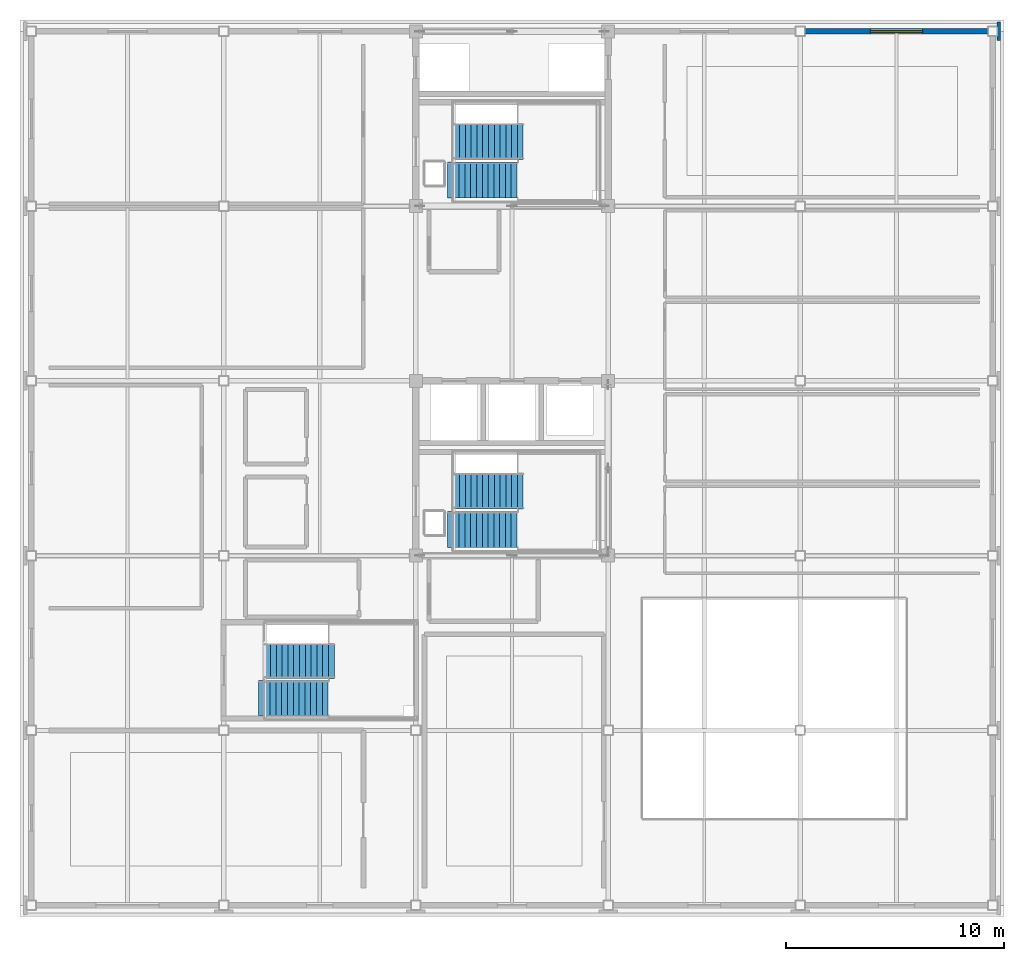
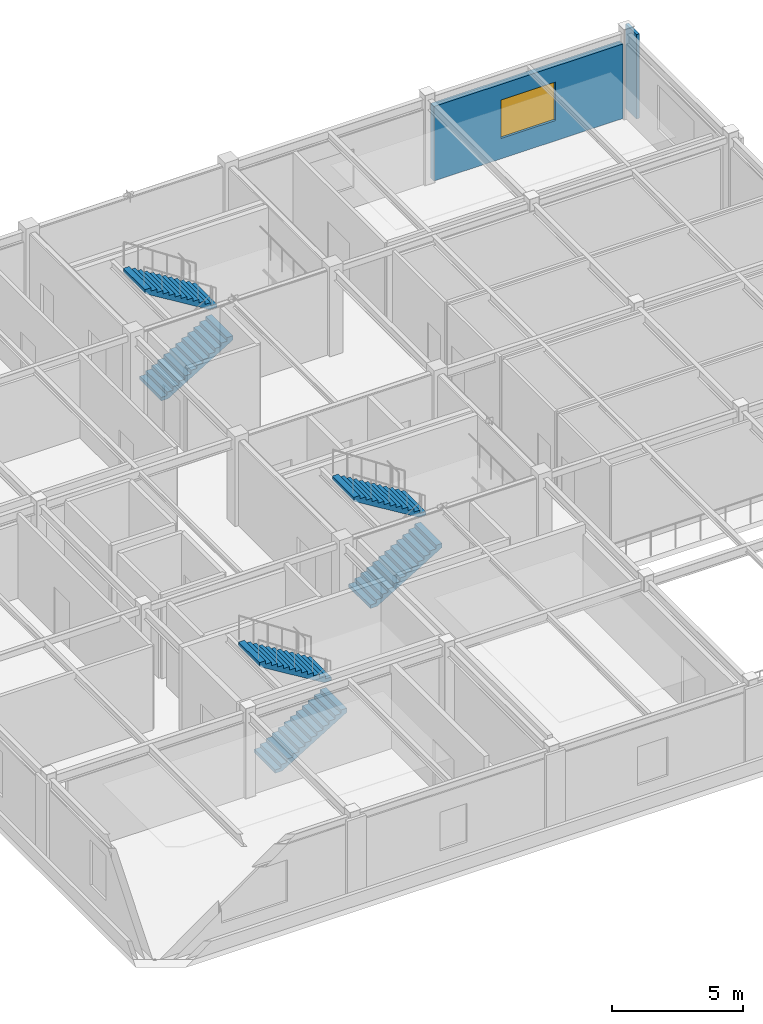
# One storey, part 15 of 18: 6 stair flights, 2 walls, 1 window, 1 opening, 3 elements without a shape of their own.
"""IFC4 building model written with IfcOpenShell, lengths in metres."""

from ifc_helpers import new_model, si_unit, direction, frame, frame_2d, origin, place, context, subcontext, project, spatial, polyline, rectangle, outline, extrude, material, layer, layer_set, type_object, element, fill, aggregate, save


model = new_model("IFC4")

# Units and contexts
model_context = context("Model", 3, precision=1e-05, world=origin(), true_north=direction((0.0, 1.0)))
body_context = subcontext(model_context, "Body", "Model", "MODEL_VIEW")
ifc_project = project(units=[si_unit("LENGTHUNIT", "METRE"), si_unit("AREAUNIT", "SQUARE_METRE"), si_unit("VOLUMEUNIT", "CUBIC_METRE"), si_unit("PLANEANGLEUNIT", "RADIAN"), si_unit("MASSUNIT", "GRAM", prefix="KILO")], contexts=[model_context])

# Site, building, storey
site_placement = place(None, origin())
site = spatial("IfcSite", under=ifc_project, at=site_placement, CompositionType="ELEMENT")
building_placement = place(site_placement, origin())
building = spatial("IfcBuilding", under=site, at=building_placement, Name="Zhaolan Boulevard Law Courts", CompositionType="ELEMENT")
storey_placement = place(building_placement, frame((0.0, 0.0, 33.0)))
storey = spatial("IfcBuildingStorey", under=building, at=storey_placement, Name="L07", CompositionType="ELEMENT", Elevation=33.0)

# Wall
ifc_material_1 = material(Name="Concrete C40", Category="concrete")
ifc_layer_1 = layer(ifc_material_1, 0.139892578125)
ifc_layer_set_1 = layer_set([ifc_layer_1])
wall_type_1 = type_object("IfcWallType", Name="EXT WALL ARCH CLAD140", PredefinedType="SOLIDWALL", material=ifc_layer_set_1)
wall_1_placement = place(storey_placement, frame((44.280029296875, 69.580078125, 0.0), z_axis=(0.0, 0.0, 1.0), x_axis=(0.0, 1.0, 0.0)))
element("IfcWall", 1, at=wall_1_placement, inside=storey, type_object=wall_type_1, Name="Concrete Column Cloak Pier CPR-174", PredefinedType="SOLIDWALL", context=body_context, shape_type="SweptSolid", body=[
    extrude(rectangle(XDim=0.83984375, YDim=0.139892578125, at=frame_2d((0.419921875, 0.0))), origin(), (0.0, 0.0, 1.0), 3.93994140625),
])

# Wall, opening, window
ifc_material_2 = material(Name="Concrete C40", Category="concrete")
ifc_layer_2 = layer(ifc_material_2, 0.260009765625)
ifc_layer_set_2 = layer_set([ifc_layer_2])
wall_type_2 = type_object("IfcWallType", Name="EXT WALL CONCRETE260", PredefinedType="SOLIDWALL", material=ifc_layer_set_2)
wall_2_placement = place(storey_placement, frame((43.779052734375, 70.0, 0.0), z_axis=(0.0, 0.0, 1.0), x_axis=(-1.0, 0.0, 0.0)))
wall_2 = element("IfcWall", 2, at=wall_2_placement, inside=storey, type_object=wall_type_2, Name="Exterior Wall EW-L07-397", PredefinedType="SOLIDWALL", context=body_context, shape_type="SweptSolid", body=[
    extrude(rectangle(XDim=8.358154296875, YDim=0.260009765625, at=frame_2d((4.17919921875, 0.0))), origin(), (0.0, 0.0, 1.0), 3.48291015625),
])
opening_placement = place(wall_2_placement, frame((2.97900390625, 0.0, 0.949951171875)))
opening = element("IfcOpeningElement", 3, at=opening_placement, cuts=wall_2, Name="Opening WIN-L07-247", PredefinedType="OPENING", context=body_context, shape_type="SweptSolid", body=[
    extrude(rectangle(XDim=2.39990234375, YDim=1.800048828125, at=frame_2d((1.199951171875, 0.89990234375))), frame((0.0, 0.139892578125, 0.0), z_axis=(0.0, -1.0, 0.0), x_axis=(1.0, 0.0, 0.0)), (0.0, 0.0, 1.0), 0.280029296875),
])
ifc_material_3 = material(Name="Thermally broken aluminium and low-E glazing", Category="aluminium")
window_type = type_object("IfcWindowType", Name="WINDOW 2400X1800", PartitioningType="DOUBLE_PANEL_VERTICAL", PredefinedType="WINDOW", material=ifc_material_3)
window_placement = place(opening_placement, origin())
window = element("IfcWindow", 4, at=window_placement, inside=storey, type_object=window_type, Name="Exterior Window WIN-L07-247", OverallHeight=1.800048828125, OverallWidth=2.39990234375, PartitioningType="SINGLE_PANEL", PredefinedType="WINDOW", context=body_context, shape_type="SweptSolid", body=[
    extrude(rectangle(XDim=2.39990234375, YDim=1.800048828125, at=frame_2d((1.199951171875, 0.89990234375))), frame((0.0, 0.030029296875, 0.0), z_axis=(0.0, -1.0, 0.0), x_axis=(1.0, 0.0, 0.0)), (0.0, 0.0, 1.0), 0.06005859375),
])
fill(opening, window)

# Stair, stair flights
ifc_material_4 = material(Name="Concrete C40", Category="concrete")
stair_type_1 = type_object("IfcStairType", Name="HALF TURN STAIR 42 A", PredefinedType="HALF_TURN_STAIR", material=ifc_material_4)
stair_1_placement = place(storey_placement, origin())
stair_1 = element("IfcStair", 5, at=stair_1_placement, inside=storey, type_object=stair_type_1, Name="Stair ST01-L07", PredefinedType="HALF_TURN_STAIR")
ifc_material_5 = material(Name="Concrete C40", Category="concrete")
stair_flight_type_1 = type_object("IfcStairFlightType", Name="STAIR FLIGHT 42 A", PredefinedType="STRAIGHT", material=ifc_material_5)
stair_flight_1_placement = place(storey_placement, frame((19.050048828125, 47.205078125, 0.0), z_axis=(0.0, 0.0, 1.0), x_axis=(1.0, 0.0, 0.0)))
stair_flight_1 = element("IfcStairFlight", 6, at=stair_flight_1_placement, type_object=stair_flight_type_1, Name="Stair Flight ST01-L07-F1", NumberOfRisers=13, NumberOfTreads=12, PredefinedType="STRAIGHT", RiserHeight=0.161538462, TreadLength=0.265, context=body_context, shape_type="SweptSolid", body=[
    extrude(outline(polyline([(0.0, 0.0), (0.0, 0.16162109375), (0.264892578125, 0.16162109375), (0.264892578125, 0.322998046875), (0.530029296875, 0.322998046875), (0.530029296875, 0.484619140625), (0.794921875, 0.484619140625), (0.794921875, 0.646240234375), (1.06005859375, 0.646240234375), (1.06005859375, 0.8076171875), (1.324951171875, 0.8076171875), (1.324951171875, 0.96923828125), (1.590087890625, 0.96923828125), (1.590087890625, 1.130859375), (1.85498046875, 1.130859375), (1.85498046875, 1.292236328125), (2.1201171875, 1.292236328125), (2.1201171875, 1.453857421875), (2.385009765625, 1.453857421875), (2.385009765625, 1.615478515625), (2.64990234375, 1.615478515625), (2.64990234375, 1.77685546875), (2.9150390625, 1.77685546875), (2.9150390625, 1.9384765625), (3.179931640625, 1.9384765625), (3.179931640625, 2.10009765625), (3.179931640625, 1.751220703125), (0.30712890625, 0.0), (0.0, 0.0)])), frame((0.0, 0.824951171875, 0.0), z_axis=(0.0, -1.0, 0.0), x_axis=(1.0, 0.0, 0.0)), (0.0, 0.0, 1.0), 1.64990234375),
])
stair_flight_2_placement = place(storey_placement, frame((22.514892578125, 48.955078125, 2.10009765625), z_axis=(0.0, 0.0, 1.0), x_axis=(-1.0, 0.0, 0.0)))
stair_flight_2 = element("IfcStairFlight", 7, at=stair_flight_2_placement, type_object=stair_flight_type_1, Name="Stair Flight ST01-L07-F2", NumberOfRisers=13, NumberOfTreads=12, PredefinedType="STRAIGHT", RiserHeight=0.161538462, TreadLength=0.265, context=body_context, shape_type="SweptSolid", body=[
    extrude(outline(polyline([(0.0, 0.0), (0.0, 0.16162109375), (0.264892578125, 0.16162109375), (0.264892578125, 0.322998046875), (0.530029296875, 0.322998046875), (0.530029296875, 0.484619140625), (0.794921875, 0.484619140625), (0.794921875, 0.646240234375), (1.06005859375, 0.646240234375), (1.06005859375, 0.8076171875), (1.324951171875, 0.8076171875), (1.324951171875, 0.96923828125), (1.590087890625, 0.96923828125), (1.590087890625, 1.130859375), (1.85498046875, 1.130859375), (1.85498046875, 1.292236328125), (2.1201171875, 1.292236328125), (2.1201171875, 1.453857421875), (2.385009765625, 1.453857421875), (2.385009765625, 1.615478515625), (2.64990234375, 1.615478515625), (2.64990234375, 1.77685546875), (2.9150390625, 1.77685546875), (2.9150390625, 1.9384765625), (3.179931640625, 1.9384765625), (3.179931640625, 2.10009765625), (3.179931640625, 1.751220703125), (0.30712890625, 0.0), (0.0, 0.0)])), frame((0.0, 0.824951171875, 0.0), z_axis=(0.0, -1.0, 0.0), x_axis=(1.0, 0.0, 0.0)), (0.0, 0.0, 1.0), 1.64990234375),
])
aggregate(stair_1, [stair_flight_1, stair_flight_2])

stair_2_placement = place(storey_placement, origin())
stair_2 = element("IfcStair", 8, at=stair_2_placement, inside=storey, type_object=stair_type_1, Name="Stair ST02-L07", PredefinedType="HALF_TURN_STAIR")
stair_flight_3_placement = place(storey_placement, frame((19.050048828125, 63.205078125, 0.0), z_axis=(0.0, 0.0, 1.0), x_axis=(1.0, 0.0, 0.0)))
stair_flight_3 = element("IfcStairFlight", 9, at=stair_flight_3_placement, type_object=stair_flight_type_1, Name="Stair Flight ST02-L07-F1", NumberOfRisers=13, NumberOfTreads=12, PredefinedType="STRAIGHT", RiserHeight=0.161538462, TreadLength=0.265, context=body_context, shape_type="SweptSolid", body=[
    extrude(outline(polyline([(0.0, 0.0), (0.0, 0.16162109375), (0.264892578125, 0.16162109375), (0.264892578125, 0.322998046875), (0.530029296875, 0.322998046875), (0.530029296875, 0.484619140625), (0.794921875, 0.484619140625), (0.794921875, 0.646240234375), (1.06005859375, 0.646240234375), (1.06005859375, 0.8076171875), (1.324951171875, 0.8076171875), (1.324951171875, 0.96923828125), (1.590087890625, 0.96923828125), (1.590087890625, 1.130859375), (1.85498046875, 1.130859375), (1.85498046875, 1.292236328125), (2.1201171875, 1.292236328125), (2.1201171875, 1.453857421875), (2.385009765625, 1.453857421875), (2.385009765625, 1.615478515625), (2.64990234375, 1.615478515625), (2.64990234375, 1.77685546875), (2.9150390625, 1.77685546875), (2.9150390625, 1.9384765625), (3.179931640625, 1.9384765625), (3.179931640625, 2.10009765625), (3.179931640625, 1.751220703125), (0.30712890625, 0.0), (0.0, 0.0)])), frame((0.0, 0.824951171875, 0.0), z_axis=(0.0, -1.0, 0.0), x_axis=(1.0, 0.0, 0.0)), (0.0, 0.0, 1.0), 1.64990234375),
])
stair_flight_4_placement = place(storey_placement, frame((22.514892578125, 64.955078125, 2.10009765625), z_axis=(0.0, 0.0, 1.0), x_axis=(-1.0, 0.0, 0.0)))
stair_flight_4 = element("IfcStairFlight", 10, at=stair_flight_4_placement, type_object=stair_flight_type_1, Name="Stair Flight ST02-L07-F2", NumberOfRisers=13, NumberOfTreads=12, PredefinedType="STRAIGHT", RiserHeight=0.161538462, TreadLength=0.265, context=body_context, shape_type="SweptSolid", body=[
    extrude(outline(polyline([(0.0, 0.0), (0.0, 0.16162109375), (0.264892578125, 0.16162109375), (0.264892578125, 0.322998046875), (0.530029296875, 0.322998046875), (0.530029296875, 0.484619140625), (0.794921875, 0.484619140625), (0.794921875, 0.646240234375), (1.06005859375, 0.646240234375), (1.06005859375, 0.8076171875), (1.324951171875, 0.8076171875), (1.324951171875, 0.96923828125), (1.590087890625, 0.96923828125), (1.590087890625, 1.130859375), (1.85498046875, 1.130859375), (1.85498046875, 1.292236328125), (2.1201171875, 1.292236328125), (2.1201171875, 1.453857421875), (2.385009765625, 1.453857421875), (2.385009765625, 1.615478515625), (2.64990234375, 1.615478515625), (2.64990234375, 1.77685546875), (2.9150390625, 1.77685546875), (2.9150390625, 1.9384765625), (3.179931640625, 1.9384765625), (3.179931640625, 2.10009765625), (3.179931640625, 1.751220703125), (0.30712890625, 0.0), (0.0, 0.0)])), frame((0.0, 0.824951171875, 0.0), z_axis=(0.0, -1.0, 0.0), x_axis=(1.0, 0.0, 0.0)), (0.0, 0.0, 1.0), 1.64990234375),
])
aggregate(stair_2, [stair_flight_3, stair_flight_4])

ifc_material_6 = material(Name="Concrete C40", Category="concrete")
stair_type_2 = type_object("IfcStairType", Name="HALF TURN STAIR 42 B", PredefinedType="HALF_TURN_STAIR", material=ifc_material_6)
stair_3_placement = place(storey_placement, origin())
stair_3 = element("IfcStair", 11, at=stair_3_placement, inside=storey, type_object=stair_type_2, Name="Stair ST03-L07", PredefinedType="HALF_TURN_STAIR")
ifc_material_7 = material(Name="Concrete C40", Category="concrete")
stair_flight_type_2 = type_object("IfcStairFlightType", Name="STAIR FLIGHT 42 B", PredefinedType="STRAIGHT", material=ifc_material_7)
stair_flight_5_placement = place(storey_placement, frame((10.39990234375, 39.47998046875, 0.0), z_axis=(0.0, 0.0, 1.0), x_axis=(1.0, 0.0, 0.0)))
stair_flight_5 = element("IfcStairFlight", 12, at=stair_flight_5_placement, type_object=stair_flight_type_2, Name="Stair Flight ST03-L07-F1", NumberOfRisers=13, NumberOfTreads=12, PredefinedType="STRAIGHT", RiserHeight=0.161538462, TreadLength=0.265, context=body_context, shape_type="SweptSolid", body=[
    extrude(outline(polyline([(0.0, 0.0), (0.0, 0.16162109375), (0.264892578125, 0.16162109375), (0.264892578125, 0.322998046875), (0.530029296875, 0.322998046875), (0.530029296875, 0.484619140625), (0.794921875, 0.484619140625), (0.794921875, 0.646240234375), (1.06005859375, 0.646240234375), (1.06005859375, 0.8076171875), (1.324951171875, 0.8076171875), (1.324951171875, 0.96923828125), (1.590087890625, 0.96923828125), (1.590087890625, 1.130859375), (1.85498046875, 1.130859375), (1.85498046875, 1.292236328125), (2.1201171875, 1.292236328125), (2.1201171875, 1.453857421875), (2.385009765625, 1.453857421875), (2.385009765625, 1.615478515625), (2.64990234375, 1.615478515625), (2.64990234375, 1.77685546875), (2.9150390625, 1.77685546875), (2.9150390625, 1.9384765625), (3.179931640625, 1.9384765625), (3.179931640625, 2.10009765625), (3.179931640625, 1.751220703125), (0.30712890625, 0.0), (0.0, 0.0)])), frame((0.0, 0.800048828125, 0.0), z_axis=(0.0, -1.0, 0.0), x_axis=(1.0, 0.0, 0.0)), (0.0, 0.0, 1.0), 1.60009765625),
])
stair_flight_6_placement = place(storey_placement, frame((13.864990234375, 41.179931640625, 2.10009765625), z_axis=(0.0, 0.0, 1.0), x_axis=(-1.0, 0.0, 0.0)))
stair_flight_6 = element("IfcStairFlight", 13, at=stair_flight_6_placement, type_object=stair_flight_type_2, Name="Stair Flight ST03-L07-F2", NumberOfRisers=13, NumberOfTreads=12, PredefinedType="STRAIGHT", RiserHeight=0.161538462, TreadLength=0.265, context=body_context, shape_type="SweptSolid", body=[
    extrude(outline(polyline([(0.0, 0.0), (0.0, 0.16162109375), (0.264892578125, 0.16162109375), (0.264892578125, 0.322998046875), (0.530029296875, 0.322998046875), (0.530029296875, 0.484619140625), (0.794921875, 0.484619140625), (0.794921875, 0.646240234375), (1.06005859375, 0.646240234375), (1.06005859375, 0.8076171875), (1.324951171875, 0.8076171875), (1.324951171875, 0.96923828125), (1.590087890625, 0.96923828125), (1.590087890625, 1.130859375), (1.85498046875, 1.130859375), (1.85498046875, 1.292236328125), (2.1201171875, 1.292236328125), (2.1201171875, 1.453857421875), (2.385009765625, 1.453857421875), (2.385009765625, 1.615478515625), (2.64990234375, 1.615478515625), (2.64990234375, 1.77685546875), (2.9150390625, 1.77685546875), (2.9150390625, 1.9384765625), (3.179931640625, 1.9384765625), (3.179931640625, 2.10009765625), (3.179931640625, 1.751220703125), (0.30712890625, 0.0), (0.0, 0.0)])), frame((0.0, 0.800048828125, 0.0), z_axis=(0.0, -1.0, 0.0), x_axis=(1.0, 0.0, 0.0)), (0.0, 0.0, 1.0), 1.60009765625),
])
aggregate(stair_3, [stair_flight_5, stair_flight_6])

save(model, "model.ifc")
